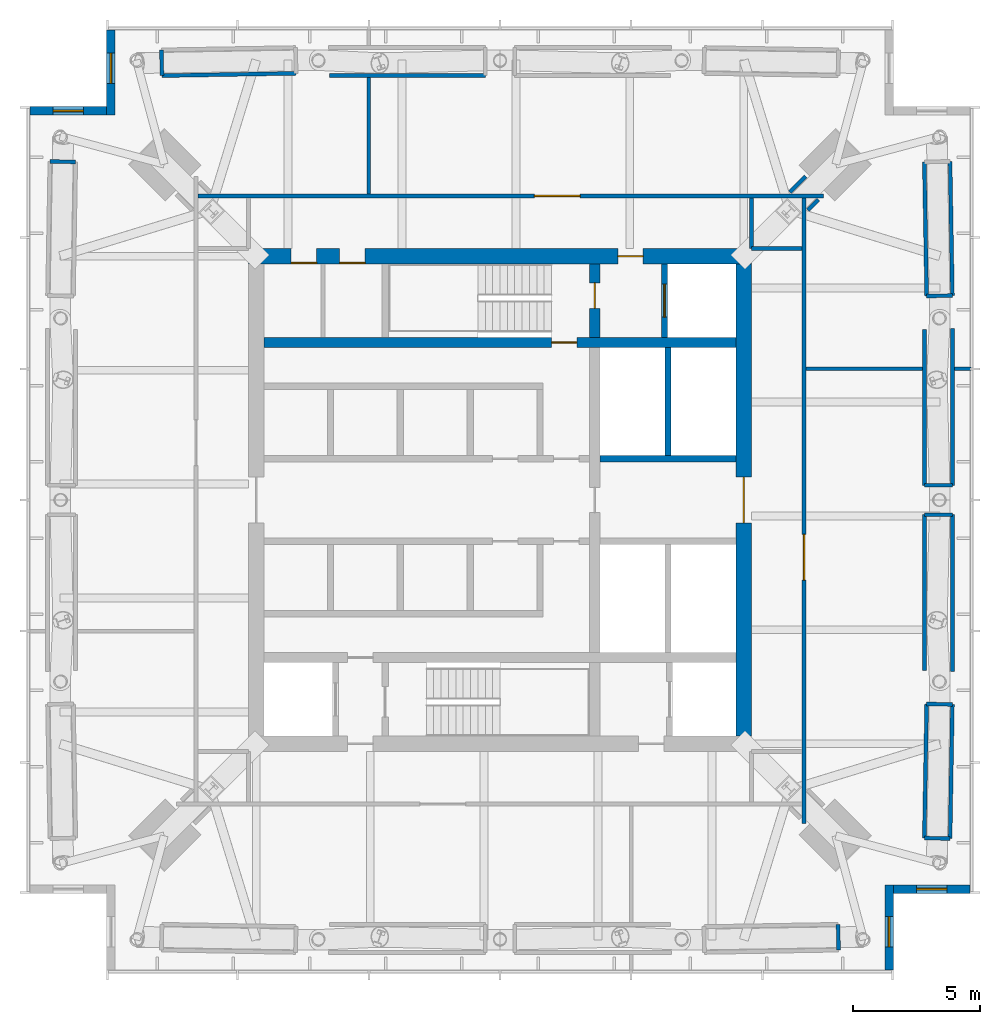
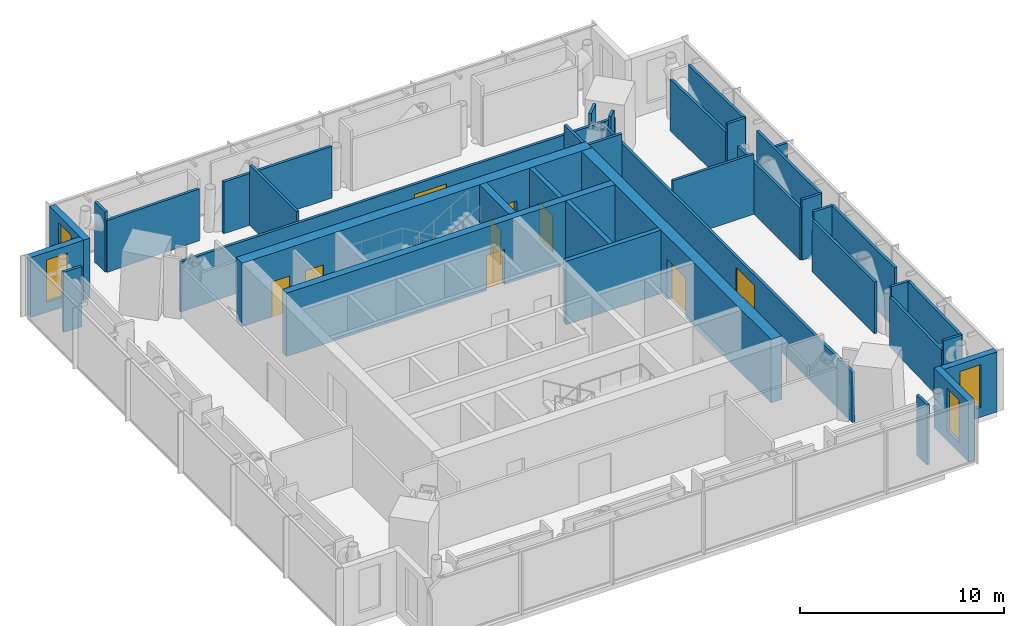
# One storey, part 6 of 8: 38 walls, 9 doors, 4 windows, 13 openings.
"""IFC4 building model written with IfcOpenShell, lengths in metres."""

from ifc_helpers import new_model, si_unit, direction, frame, frame_2d, origin, place, context, subcontext, project, spatial, rectangle, extrude, material, layer, layer_set, type_object, element, fill, save


model = new_model("IFC4")

# Units and contexts
model_context = context("Model", 3, precision=1e-05, world=origin(), true_north=direction((0.0, 1.0)))
body_context = subcontext(model_context, "Body", "Model", "MODEL_VIEW")
ifc_project = project(units=[si_unit("LENGTHUNIT", "METRE"), si_unit("AREAUNIT", "SQUARE_METRE"), si_unit("VOLUMEUNIT", "CUBIC_METRE"), si_unit("PLANEANGLEUNIT", "RADIAN"), si_unit("MASSUNIT", "GRAM", prefix="KILO")], contexts=[model_context])

# Site, building, storey
site_placement = place(None, origin())
site = spatial("IfcSite", under=ifc_project, at=site_placement, CompositionType="ELEMENT")
building_placement = place(site_placement, origin())
building = spatial("IfcBuilding", under=site, at=building_placement, Name="Ostroluk Exchange", CompositionType="ELEMENT")
storey_placement = place(building_placement, frame((0.0, 0.0, 230.0)))
storey = spatial("IfcBuildingStorey", under=building, at=storey_placement, Name="L59", CompositionType="ELEMENT", Elevation=230.0)

# Wall, opening, door
ifc_material_1 = material(Name="Concrete C50/60", Category="concrete")
ifc_layer_1 = layer(ifc_material_1, 0.39990234375)
ifc_layer_set_1 = layer_set([ifc_layer_1], Name="Core cross wall 400 C50/60")
wall_type_1 = type_object("IfcWallType", Name="Core cross wall 400 C50/60", PredefinedType="SHEAR", material=ifc_layer_set_1)
wall_1_placement = place(storey_placement, frame((35.699951171875, 52.199951171875, 0.0), z_axis=(0.0, 0.0, 1.0), x_axis=(1.0, 0.0, 0.0)))
wall_1 = element("IfcWall", 1, at=wall_1_placement, inside=storey, type_object=wall_type_1, Name="T1 core wall XN", PredefinedType="SHEAR", context=body_context, shape_type="SweptSolid", body=[
    extrude(rectangle(XDim=18.60009765625, YDim=0.39990234375, at=frame_2d((9.300048828125, 0.0))), origin(), (0.0, 0.0, 1.0), 3.800048828125),
])
opening_1_placement = place(wall_1_placement, frame((11.330078125, 0.0, 0.0)))
opening_1 = element("IfcOpeningElement", 2, at=opening_1_placement, cuts=wall_1, Name="Opening FD60", PredefinedType="OPENING", context=body_context, shape_type="SweptSolid", body=[
    extrude(rectangle(XDim=1.0, YDim=2.10009765625, at=frame_2d((0.5, 1.050048828125))), frame((0.0, 0.2099609375, 0.0), z_axis=(0.0, -1.0, 0.0), x_axis=(1.0, 0.0, 0.0)), (0.0, 0.0, 1.0), 0.419921875),
])
ifc_material_2 = material(Name="Steel", Category="steel")
door_type_1 = type_object("IfcDoorType", Name="Fire door EI 60 1000 x 2100", OperationType="SINGLE_SWING_LEFT", PredefinedType="DOOR", material=ifc_material_2)
door_1_placement = place(opening_1_placement, origin())
door_1 = element("IfcDoor", 3, at=door_1_placement, inside=storey, type_object=door_type_1, Name="Stair T1-S2 lobby door", OperationType="SINGLE_SWING_RIGHT", OverallHeight=2.10009765625, OverallWidth=1.0, PredefinedType="DOOR", context=body_context, shape_type="SweptSolid", body=[
    extrude(rectangle(XDim=1.0, YDim=2.10009765625, at=frame_2d((0.5, 1.050048828125))), frame((0.0, 0.02490234375, 0.0), z_axis=(0.0, -1.0, 0.0), x_axis=(1.0, 0.0, 0.0)), (0.0, 0.0, 1.0), 0.050048828125),
])
fill(opening_1, door_1)

wall_2_placement = place(storey_placement, frame((48.72998046875, 52.39990234375, 0.0), z_axis=(0.0, 0.0, 1.0), x_axis=(0.0, 1.0, 0.0)))
wall_2 = element("IfcWall", 4, at=wall_2_placement, inside=storey, type_object=wall_type_1, Name="T1 core wall YE3", PredefinedType="SHEAR", context=body_context, shape_type="SweptSolid", body=[
    extrude(rectangle(XDim=2.900146484375, YDim=0.39990234375, at=frame_2d((1.4501953125, 0.0))), origin(), (0.0, 0.0, 1.0), 3.800048828125),
])
opening_2_placement = place(wall_2_placement, frame((1.14990234375, 0.0, 0.0)))
opening_2 = element("IfcOpeningElement", 5, at=opening_2_placement, cuts=wall_2, Name="Opening FD60", PredefinedType="OPENING", context=body_context, shape_type="SweptSolid", body=[
    extrude(rectangle(XDim=1.0, YDim=2.10009765625, at=frame_2d((0.5, 1.050048828125))), frame((0.0, 0.2099609375, 0.0), z_axis=(0.0, -1.0, 0.0), x_axis=(1.0, 0.0, 0.0)), (0.0, 0.0, 1.0), 0.419921875),
])
door_2_placement = place(opening_2_placement, origin())
door_2 = element("IfcDoor", 6, at=door_2_placement, inside=storey, type_object=door_type_1, Name="Stair T1-S2 door", OperationType="SINGLE_SWING_RIGHT", OverallHeight=2.10009765625, OverallWidth=1.0, PredefinedType="DOOR", context=body_context, shape_type="SweptSolid", body=[
    extrude(rectangle(XDim=1.0, YDim=2.10009765625, at=frame_2d((0.5, 1.050048828125))), frame((0.0, 0.02490234375, 0.0), z_axis=(0.0, -1.0, 0.0), x_axis=(1.0, 0.0, 0.0)), (0.0, 0.0, 1.0), 0.050048828125),
])
fill(opening_2, door_2)

ifc_material_3 = material(Name="Concrete C40/50", Category="concrete")
ifc_layer_2 = layer(ifc_material_3, 0.25)
ifc_layer_set_2 = layer_set([ifc_layer_2], Name="Core shaft wall 250")
wall_type_2 = type_object("IfcWallType", Name="Core shaft wall 250", PredefinedType="SHEAR", material=ifc_layer_set_2)
wall_3_placement = place(storey_placement, frame((51.47509765625, 52.39990234375, 0.0), z_axis=(0.0, 0.0, 1.0), x_axis=(0.0, 1.0, 0.0)))
wall_3 = element("IfcWall", 7, at=wall_3_placement, inside=storey, type_object=wall_type_2, Name="Firefighting lift shaft wall", PredefinedType="SHEAR", context=body_context, shape_type="SweptSolid", body=[
    extrude(rectangle(XDim=2.900146484375, YDim=0.25, at=frame_2d((1.4501953125, 0.0))), origin(), (0.0, 0.0, 1.0), 3.800048828125),
])
opening_3_placement = place(wall_3_placement, frame((0.800048828125, 0.0, 0.0)))
opening_3 = element("IfcOpeningElement", 8, at=opening_3_placement, cuts=wall_3, Name="Opening LD2", PredefinedType="OPENING", context=body_context, shape_type="SweptSolid", body=[
    extrude(rectangle(XDim=1.300048828125, YDim=2.199951171875, at=frame_2d((0.64990234375, 1.10009765625))), frame((0.0, 0.135009765625, 0.0), z_axis=(0.0, -1.0, 0.0), x_axis=(1.0, 0.0, 0.0)), (0.0, 0.0, 1.0), 0.27001953125),
])
ifc_material_4 = material(Name="Stainless steel", Category="steel")
door_type_2 = type_object("IfcDoorType", Name="Lift landing door E 60 1300 x 2200", OperationType="DOUBLE_DOOR_SLIDING", PredefinedType="DOOR", material=ifc_material_4)
door_3_placement = place(opening_3_placement, origin())
door_3 = element("IfcDoor", 9, at=door_3_placement, inside=storey, type_object=door_type_2, Name="Lift FL2 landing door", OperationType="DOUBLE_DOOR_SLIDING", OverallHeight=2.199951171875, OverallWidth=1.300048828125, PredefinedType="DOOR", context=body_context, shape_type="SweptSolid", body=[
    extrude(rectangle(XDim=1.300048828125, YDim=2.199951171875, at=frame_2d((0.64990234375, 1.10009765625))), frame((0.0, 0.02490234375, 0.0), z_axis=(0.0, -1.0, 0.0), x_axis=(1.0, 0.0, 0.0)), (0.0, 0.0, 1.0), 0.050048828125),
])
fill(opening_3, door_3)

# Walls
wall_4_placement = place(storey_placement, frame((51.614990234375, 47.75, 0.0), z_axis=(0.0, 0.0, 1.0), x_axis=(0.0, 1.0, 0.0)))
element("IfcWall", 10, at=wall_4_placement, inside=storey, type_object=wall_type_2, Name="Lift shaft wall", PredefinedType="SHEAR", context=body_context, shape_type="SweptSolid", body=[
    extrude(rectangle(XDim=4.25, YDim=0.25, at=frame_2d((2.125, 0.0))), origin(), (0.0, 0.0, 1.0), 3.800048828125),
])
wall_5_placement = place(storey_placement, frame((48.929931640625, 47.625, 0.0), z_axis=(0.0, 0.0, 1.0), x_axis=(1.0, 0.0, 0.0)))
element("IfcWall", 11, at=wall_5_placement, inside=storey, type_object=wall_type_2, Name="Lift shaft front wall", PredefinedType="SHEAR", context=body_context, shape_type="SweptSolid", body=[
    extrude(rectangle(XDim=5.3701171875, YDim=0.25, at=frame_2d((2.68505859375, 0.0))), origin(), (0.0, 0.0, 1.0), 3.800048828125),
])

# Wall, openings, doors
ifc_material_5 = material(Name="Concrete C50/60", Category="concrete")
ifc_layer_3 = layer(ifc_material_5, 0.60009765625)
ifc_layer_set_3 = layer_set([ifc_layer_3], Name="Core wall 600 C50/60")
wall_type_3 = type_object("IfcWallType", Name="Core wall 600 C50/60", PredefinedType="SHEAR", material=ifc_layer_set_3)
wall_6_placement = place(storey_placement, frame((35.10009765625, 55.60009765625, 0.0), z_axis=(0.0, 0.0, 1.0), x_axis=(1.0, 0.0, 0.0)))
wall_6 = element("IfcWall", 12, at=wall_6_placement, inside=storey, type_object=wall_type_3, Name="T1 core wall N", PredefinedType="SHEAR", context=body_context, shape_type="SweptSolid", body=[
    extrude(rectangle(XDim=19.7998046875, YDim=0.60009765625, at=frame_2d((9.89990234375, 0.0))), origin(), (0.0, 0.0, 1.0), 3.800048828125),
])
opening_4_placement = place(wall_6_placement, frame((14.5400390625, 0.0, 0.0)))
opening_4 = element("IfcOpeningElement", 13, at=opening_4_placement, cuts=wall_6, Name="Opening FD60", PredefinedType="OPENING", context=body_context, shape_type="SweptSolid", body=[
    extrude(rectangle(XDim=1.0, YDim=2.10009765625, at=frame_2d((0.5, 1.050048828125))), frame((0.0, 0.31005859375, 0.0), z_axis=(0.0, -1.0, 0.0), x_axis=(1.0, 0.0, 0.0)), (0.0, 0.0, 1.0), 0.6201171875),
])
opening_5_placement = place(wall_6_placement, frame((1.675048828125, 0.0, 0.0)))
opening_5 = element("IfcOpeningElement", 14, at=opening_5_placement, cuts=wall_6, Name="Opening FD60", PredefinedType="OPENING", context=body_context, shape_type="SweptSolid", body=[
    extrude(rectangle(XDim=1.0, YDim=2.10009765625, at=frame_2d((0.5, 1.050048828125))), frame((0.0, 0.31005859375, 0.0), z_axis=(0.0, -1.0, 0.0), x_axis=(1.0, 0.0, 0.0)), (0.0, 0.0, 1.0), 0.6201171875),
])
opening_6_placement = place(wall_6_placement, frame((3.58740234375, 0.0, 0.0)))
opening_6 = element("IfcOpeningElement", 15, at=opening_6_placement, cuts=wall_6, Name="Opening FD60", PredefinedType="OPENING", context=body_context, shape_type="SweptSolid", body=[
    extrude(rectangle(XDim=1.0, YDim=2.10009765625, at=frame_2d((0.5, 1.050048828125))), frame((0.0, 0.31005859375, 0.0), z_axis=(0.0, -1.0, 0.0), x_axis=(1.0, 0.0, 0.0)), (0.0, 0.0, 1.0), 0.6201171875),
])
door_4_placement = place(opening_4_placement, origin())
door_4 = element("IfcDoor", 16, at=door_4_placement, inside=storey, type_object=door_type_1, Name="Firefighting lobby door", OperationType="SINGLE_SWING_RIGHT", OverallHeight=2.10009765625, OverallWidth=1.0, PredefinedType="DOOR", context=body_context, shape_type="SweptSolid", body=[
    extrude(rectangle(XDim=1.0, YDim=2.10009765625, at=frame_2d((0.5, 1.050048828125))), frame((0.0, 0.02490234375, 0.0), z_axis=(0.0, -1.0, 0.0), x_axis=(1.0, 0.0, 0.0)), (0.0, 0.0, 1.0), 0.050048828125),
])
fill(opening_4, door_4)
door_5_placement = place(opening_5_placement, origin())
door_5 = element("IfcDoor", 17, at=door_5_placement, inside=storey, type_object=door_type_1, Name="Plant control room door", OperationType="SINGLE_SWING_LEFT", OverallHeight=2.10009765625, OverallWidth=1.0, PredefinedType="DOOR", context=body_context, shape_type="SweptSolid", body=[
    extrude(rectangle(XDim=1.0, YDim=2.10009765625, at=frame_2d((0.5, 1.050048828125))), frame((0.0, -0.23974609375, 0.0), z_axis=(0.0, -1.0, 0.0), x_axis=(1.0, 0.0, 0.0)), (0.0, 0.0, 1.0), 0.050048828125),
])
fill(opening_5, door_5)
door_6_placement = place(opening_6_placement, origin())
door_6 = element("IfcDoor", 18, at=door_6_placement, inside=storey, type_object=door_type_1, Name="Plant control room door", OperationType="SINGLE_SWING_LEFT", OverallHeight=2.10009765625, OverallWidth=1.0, PredefinedType="DOOR", context=body_context, shape_type="SweptSolid", body=[
    extrude(rectangle(XDim=1.0, YDim=2.10009765625, at=frame_2d((0.5, 1.050048828125))), frame((0.0, -0.23974609375, 0.0), z_axis=(0.0, -1.0, 0.0), x_axis=(1.0, 0.0, 0.0)), (0.0, 0.0, 1.0), 0.050048828125),
])
fill(opening_6, door_6)

# Wall, opening, door
wall_7_placement = place(storey_placement, frame((54.60009765625, 36.699951171875, 0.0), z_axis=(0.0, 0.0, 1.0), x_axis=(0.0, 1.0, 0.0)))
wall_7 = element("IfcWall", 19, at=wall_7_placement, inside=storey, type_object=wall_type_3, Name="T1 core wall E", PredefinedType="SHEAR", context=body_context, shape_type="SweptSolid", body=[
    extrude(rectangle(XDim=18.60009765625, YDim=0.60009765625, at=frame_2d((9.300048828125, 0.0))), origin(), (0.0, 0.0, 1.0), 3.800048828125),
])
opening_7_placement = place(wall_7_placement, frame((8.39990234375, 0.0, 0.0)))
opening_7 = element("IfcOpeningElement", 20, at=opening_7_placement, cuts=wall_7, Name="Opening FD30D", PredefinedType="OPENING", context=body_context, shape_type="SweptSolid", body=[
    extrude(rectangle(XDim=1.800048828125, YDim=2.39990234375, at=frame_2d((0.89990234375, 1.199951171875))), frame((0.0, 0.31005859375, 0.0), z_axis=(0.0, -1.0, 0.0), x_axis=(1.0, 0.0, 0.0)), (0.0, 0.0, 1.0), 0.6201171875),
])
ifc_material_6 = material(Name="Timber", Category="wood")
door_type_3 = type_object("IfcDoorType", Name="Lobby double door EI 30 1800 x 2400", OperationType="DOUBLE_DOOR_SINGLE_SWING", PredefinedType="DOOR", material=ifc_material_6)
door_7_placement = place(opening_7_placement, origin())
door_7 = element("IfcDoor", 21, at=door_7_placement, inside=storey, type_object=door_type_3, Name="Lift lobby doors", OperationType="DOUBLE_DOOR_SINGLE_SWING", OverallHeight=2.39990234375, OverallWidth=1.800048828125, PredefinedType="DOOR", context=body_context, shape_type="SweptSolid", body=[
    extrude(rectangle(XDim=1.800048828125, YDim=2.39990234375, at=frame_2d((0.89990234375, 1.199951171875))), frame((0.0, 0.02490234375, 0.0), z_axis=(0.0, -1.0, 0.0), x_axis=(1.0, 0.0, 0.0)), (0.0, 0.0, 1.0), 0.050048828125),
])
fill(opening_7, door_7)

# Wall, opening, window
ifc_material_7 = material(Name="Limestone", Category="masonry")
ifc_layer_4 = layer(ifc_material_7, 0.35009765625)
ifc_layer_set_4 = layer_set([ifc_layer_4], Name="Limestone facade wall 350")
wall_type_4 = type_object("IfcWallType", Name="Limestone facade wall 350", PredefinedType="SOLIDWALL", material=ifc_layer_set_4)
wall_8_placement = place(storey_placement, frame((60.324951171875, 27.5, 0.0), z_axis=(0.0, 0.0, 1.0), x_axis=(0.0, 1.0, 0.0)))
wall_8 = element("IfcWall", 22, at=wall_8_placement, inside=storey, type_object=wall_type_4, Name="Office tower SE corner wall L59 a", PredefinedType="SOLIDWALL", context=body_context, shape_type="SweptSolid", body=[
    extrude(rectangle(XDim=3.35009765625, YDim=0.35009765625, at=frame_2d((1.675048828125, 0.0))), origin(), (0.0, 0.0, 1.0), 3.60009765625),
])
opening_8_placement = place(wall_8_placement, frame((0.89990234375, 0.0, 0.60009765625)))
opening_8 = element("IfcOpeningElement", 23, at=opening_8_placement, cuts=wall_8, Name="Opening WN-LV1", PredefinedType="OPENING", context=body_context, shape_type="SweptSolid", body=[
    extrude(rectangle(XDim=1.199951171875, YDim=2.550048828125, at=frame_2d((0.60009765625, 1.27490234375))), frame((0.0, 0.18505859375, 0.0), z_axis=(0.0, -1.0, 0.0), x_axis=(1.0, 0.0, 0.0)), (0.0, 0.0, 1.0), 0.3701171875),
])
ifc_material_8 = material(Name="Aluminium louvre", Category="aluminium")
window_type = type_object("IfcWindowType", Name="Lancet louvre 1200 x 2550", PartitioningType="SINGLE_PANEL", PredefinedType="USERDEFINED", material=ifc_material_8)
window_1_placement = place(opening_8_placement, origin())
window_1 = element("IfcWindow", 24, at=window_1_placement, inside=storey, type_object=window_type, Name="Office tower SE plant louvre L59", ObjectType="LOUVRE", OverallHeight=2.550048828125, OverallWidth=1.199951171875, PartitioningType="SINGLE_PANEL", PredefinedType="USERDEFINED", context=body_context, shape_type="SweptSolid", body=[
    extrude(rectangle(XDim=1.199951171875, YDim=2.550048828125, at=frame_2d((0.60009765625, 1.27490234375))), frame((0.0, 0.030029296875, 0.0), z_axis=(0.0, -1.0, 0.0), x_axis=(1.0, 0.0, 0.0)), (0.0, 0.0, 1.0), 0.06005859375),
])
fill(opening_8, window_1)

wall_9_placement = place(storey_placement, frame((60.5, 30.675048828125, 0.0), z_axis=(0.0, 0.0, 1.0), x_axis=(1.0, 0.0, 0.0)))
wall_9 = element("IfcWall", 25, at=wall_9_placement, inside=storey, type_object=wall_type_4, Name="Office tower SE corner wall L59 b", PredefinedType="SOLIDWALL", context=body_context, shape_type="SweptSolid", body=[
    extrude(rectangle(XDim=3.0, YDim=0.35009765625, at=frame_2d((1.5, 0.0))), origin(), (0.0, 0.0, 1.0), 3.60009765625),
])
opening_9_placement = place(wall_9_placement, frame((0.89990234375, 0.0, 0.60009765625)))
opening_9 = element("IfcOpeningElement", 26, at=opening_9_placement, cuts=wall_9, Name="Opening WN-LV1", PredefinedType="OPENING", context=body_context, shape_type="SweptSolid", body=[
    extrude(rectangle(XDim=1.199951171875, YDim=2.550048828125, at=frame_2d((0.60009765625, 1.27490234375))), frame((0.0, 0.18505859375, 0.0), z_axis=(0.0, -1.0, 0.0), x_axis=(1.0, 0.0, 0.0)), (0.0, 0.0, 1.0), 0.3701171875),
])
window_2_placement = place(opening_9_placement, origin())
window_2 = element("IfcWindow", 27, at=window_2_placement, inside=storey, type_object=window_type, Name="Office tower SE plant louvre L59", ObjectType="LOUVRE", OverallHeight=2.550048828125, OverallWidth=1.199951171875, PartitioningType="SINGLE_PANEL", PredefinedType="USERDEFINED", context=body_context, shape_type="SweptSolid", body=[
    extrude(rectangle(XDim=1.199951171875, YDim=2.550048828125, at=frame_2d((0.60009765625, 1.27490234375))), frame((0.0, 0.030029296875, 0.0), z_axis=(0.0, -1.0, 0.0), x_axis=(1.0, 0.0, 0.0)), (0.0, 0.0, 1.0), 0.06005859375),
])
fill(opening_9, window_2)

wall_10_placement = place(storey_placement, frame((29.675048828125, 64.5, 0.0), z_axis=(0.0, 0.0, 1.0), x_axis=(0.0, -1.0, 0.0)))
wall_10 = element("IfcWall", 28, at=wall_10_placement, inside=storey, type_object=wall_type_4, Name="Office tower NW corner wall L59 a", PredefinedType="SOLIDWALL", context=body_context, shape_type="SweptSolid", body=[
    extrude(rectangle(XDim=3.35009765625, YDim=0.35009765625, at=frame_2d((1.675048828125, 0.0))), origin(), (0.0, 0.0, 1.0), 3.60009765625),
])
opening_10_placement = place(wall_10_placement, frame((0.89990234375, 0.0, 0.60009765625)))
opening_10 = element("IfcOpeningElement", 29, at=opening_10_placement, cuts=wall_10, Name="Opening WN-LV1", PredefinedType="OPENING", context=body_context, shape_type="SweptSolid", body=[
    extrude(rectangle(XDim=1.199951171875, YDim=2.550048828125, at=frame_2d((0.60009765625, 1.27490234375))), frame((0.0, 0.18505859375, 0.0), z_axis=(0.0, -1.0, 0.0), x_axis=(1.0, 0.0, 0.0)), (0.0, 0.0, 1.0), 0.3701171875),
])
window_3_placement = place(opening_10_placement, origin())
window_3 = element("IfcWindow", 30, at=window_3_placement, inside=storey, type_object=window_type, Name="Office tower NW plant louvre L59", ObjectType="LOUVRE", OverallHeight=2.550048828125, OverallWidth=1.199951171875, PartitioningType="SINGLE_PANEL", PredefinedType="USERDEFINED", context=body_context, shape_type="SweptSolid", body=[
    extrude(rectangle(XDim=1.199951171875, YDim=2.550048828125, at=frame_2d((0.60009765625, 1.27490234375))), frame((0.0, 0.030029296875, 0.0), z_axis=(0.0, -1.0, 0.0), x_axis=(1.0, 0.0, 0.0)), (0.0, 0.0, 1.0), 0.06005859375),
])
fill(opening_10, window_3)

wall_11_placement = place(storey_placement, frame((29.5, 61.324951171875, 0.0), z_axis=(0.0, 0.0, 1.0), x_axis=(-1.0, 0.0, 0.0)))
wall_11 = element("IfcWall", 31, at=wall_11_placement, inside=storey, type_object=wall_type_4, Name="Office tower NW corner wall L59 b", PredefinedType="SOLIDWALL", context=body_context, shape_type="SweptSolid", body=[
    extrude(rectangle(XDim=3.0, YDim=0.35009765625, at=frame_2d((1.5, 0.0))), origin(), (0.0, 0.0, 1.0), 3.60009765625),
])
opening_11_placement = place(wall_11_placement, frame((0.89990234375, 0.0, 0.60009765625)))
opening_11 = element("IfcOpeningElement", 32, at=opening_11_placement, cuts=wall_11, Name="Opening WN-LV1", PredefinedType="OPENING", context=body_context, shape_type="SweptSolid", body=[
    extrude(rectangle(XDim=1.199951171875, YDim=2.550048828125, at=frame_2d((0.60009765625, 1.27490234375))), frame((0.0, 0.18505859375, 0.0), z_axis=(0.0, -1.0, 0.0), x_axis=(1.0, 0.0, 0.0)), (0.0, 0.0, 1.0), 0.3701171875),
])
window_4_placement = place(opening_11_placement, origin())
window_4 = element("IfcWindow", 33, at=window_4_placement, inside=storey, type_object=window_type, Name="Office tower NW plant louvre L59", ObjectType="LOUVRE", OverallHeight=2.550048828125, OverallWidth=1.199951171875, PartitioningType="SINGLE_PANEL", PredefinedType="USERDEFINED", context=body_context, shape_type="SweptSolid", body=[
    extrude(rectangle(XDim=1.199951171875, YDim=2.550048828125, at=frame_2d((0.60009765625, 1.27490234375))), frame((0.0, 0.030029296875, 0.0), z_axis=(0.0, -1.0, 0.0), x_axis=(1.0, 0.0, 0.0)), (0.0, 0.0, 1.0), 0.06005859375),
])
fill(opening_11, window_4)

# Wall
ifc_material_9 = material(Name="Gypsum plasterboard partition", Category="gypsum")
ifc_layer_5 = layer(ifc_material_9, 0.14990234375)
ifc_layer_set_5 = layer_set([ifc_layer_5], Name="Plasterboard partition 150")
wall_type_5 = type_object("IfcWallType", Name="Plasterboard partition 150", PredefinedType="PARTITIONING", material=ifc_layer_set_5)
wall_12_placement = place(storey_placement, frame((54.89990234375, 55.89990234375, 0.0), z_axis=(0.0, 0.0, 1.0), x_axis=(1.0, 0.0, 0.0)))
element("IfcWall", 34, at=wall_12_placement, inside=storey, type_object=wall_type_5, Name="Partition", PredefinedType="PARTITIONING", context=body_context, shape_type="SweptSolid", body=[
    extrude(rectangle(XDim=2.0, YDim=0.14990234375, at=frame_2d((1.0, 0.0))), origin(), (0.0, 0.0, 1.0), 3.60009765625),
])

# Wall, opening, door
wall_13_placement = place(storey_placement, frame((56.97509765625, 33.26416015625, 0.0), z_axis=(0.0, 0.0, 1.0), x_axis=(0.0, 1.0, 0.0)))
wall_13 = element("IfcWall", 35, at=wall_13_placement, inside=storey, type_object=wall_type_5, Name="Partition", PredefinedType="PARTITIONING", context=body_context, shape_type="SweptSolid", body=[
    extrude(rectangle(XDim=24.6357421875, YDim=0.14990234375, at=frame_2d((12.31787109375, 0.0))), origin(), (0.0, 0.0, 1.0), 3.0),
])
opening_12_placement = place(wall_13_placement, frame((9.58154296875, 0.0, 0.0)))
opening_12 = element("IfcOpeningElement", 36, at=opening_12_placement, cuts=wall_13, Name="Opening D-04", PredefinedType="OPENING", context=body_context, shape_type="SweptSolid", body=[
    extrude(rectangle(XDim=1.800048828125, YDim=2.39990234375, at=frame_2d((0.89990234375, 1.199951171875))), frame((0.0, 0.0849609375, 0.0), z_axis=(0.0, -1.0, 0.0), x_axis=(1.0, 0.0, 0.0)), (0.0, 0.0, 1.0), 0.169921875),
])
ifc_material_10 = material(Name="Timber", Category="wood")
door_type_4 = type_object("IfcDoorType", Name="Double door 1800 x 2400", OperationType="DOUBLE_DOOR_SINGLE_SWING", PredefinedType="DOOR", material=ifc_material_10)
door_8_placement = place(opening_12_placement, origin())
door_8 = element("IfcDoor", 37, at=door_8_placement, inside=storey, type_object=door_type_4, Name="Refuge area door", OperationType="DOUBLE_DOOR_SINGLE_SWING", OverallHeight=2.39990234375, OverallWidth=1.800048828125, PredefinedType="DOOR", context=body_context, shape_type="SweptSolid", body=[
    extrude(rectangle(XDim=1.800048828125, YDim=2.39990234375, at=frame_2d((0.89990234375, 1.199951171875))), frame((0.0, 0.02490234375, 0.0), z_axis=(0.0, -1.0, 0.0), x_axis=(1.0, 0.0, 0.0)), (0.0, 0.0, 1.0), 0.050048828125),
])
fill(opening_12, door_8)

# Walls
wall_14_placement = place(storey_placement, frame((57.050048828125, 51.166748046875, 0.0), z_axis=(0.0, 0.0, 1.0), x_axis=(1.0, 0.0, 0.0)))
element("IfcWall", 38, at=wall_14_placement, inside=storey, type_object=wall_type_5, Name="Partition", PredefinedType="PARTITIONING", context=body_context, shape_type="SweptSolid", body=[
    extrude(rectangle(XDim=4.583740234375, YDim=0.14990234375, at=frame_2d((2.2919921875, 0.0))), origin(), (0.0, 0.0, 1.0), 3.60009765625),
])
wall_15_placement = place(storey_placement, frame((62.88720703125, 51.166748046875, 0.0), z_axis=(0.0, 0.0, 1.0), x_axis=(1.0, 0.0, 0.0)))
element("IfcWall", 39, at=wall_15_placement, inside=storey, type_object=wall_type_5, Name="Partition", PredefinedType="PARTITIONING", context=body_context, shape_type="SweptSolid", body=[
    extrude(rectangle(XDim=0.65283203125, YDim=0.14990234375, at=frame_2d((0.326416015625, 0.0))), origin(), (0.0, 0.0, 1.0), 3.60009765625),
])
wall_16_placement = place(storey_placement, frame((54.89990234375, 55.89990234375, 0.0), z_axis=(0.0, 0.0, 1.0), x_axis=(0.0, 1.0, 0.0)))
element("IfcWall", 40, at=wall_16_placement, inside=storey, type_object=wall_type_5, Name="Partition", PredefinedType="PARTITIONING", context=body_context, shape_type="SweptSolid", body=[
    extrude(rectangle(XDim=2.0, YDim=0.14990234375, at=frame_2d((1.0, 0.0))), origin(), (0.0, 0.0, 1.0), 3.60009765625),
])

# Wall, opening, door
wall_17_placement = place(storey_placement, frame((57.73583984375, 57.97509765625, 0.0), z_axis=(0.0, 0.0, 1.0), x_axis=(-1.0, 0.0, 0.0)))
wall_17 = element("IfcWall", 41, at=wall_17_placement, inside=storey, type_object=wall_type_5, Name="Partition", PredefinedType="PARTITIONING", context=body_context, shape_type="SweptSolid", body=[
    extrude(rectangle(XDim=24.6357421875, YDim=0.14990234375, at=frame_2d((12.31787109375, 0.0))), origin(), (0.0, 0.0, 1.0), 3.0),
])
opening_13_placement = place(wall_17_placement, frame((9.58154296875, 0.0, 0.0)))
opening_13 = element("IfcOpeningElement", 42, at=opening_13_placement, cuts=wall_17, Name="Opening D-04", PredefinedType="OPENING", context=body_context, shape_type="SweptSolid", body=[
    extrude(rectangle(XDim=1.800048828125, YDim=2.39990234375, at=frame_2d((0.89990234375, 1.199951171875))), frame((0.0, 0.0849609375, 0.0), z_axis=(0.0, -1.0, 0.0), x_axis=(1.0, 0.0, 0.0)), (0.0, 0.0, 1.0), 0.169921875),
])
door_9_placement = place(opening_13_placement, origin())
door_9 = element("IfcDoor", 43, at=door_9_placement, inside=storey, type_object=door_type_4, Name="Refuge area door", OperationType="DOUBLE_DOOR_SINGLE_SWING", OverallHeight=2.39990234375, OverallWidth=1.800048828125, PredefinedType="DOOR", context=body_context, shape_type="SweptSolid", body=[
    extrude(rectangle(XDim=1.800048828125, YDim=2.39990234375, at=frame_2d((0.89990234375, 1.199951171875))), frame((0.0, 0.02490234375, 0.0), z_axis=(0.0, -1.0, 0.0), x_axis=(1.0, 0.0, 0.0)), (0.0, 0.0, 1.0), 0.050048828125),
])
fill(opening_13, door_9)

# Walls
wall_18_placement = place(storey_placement, frame((39.833251953125, 58.050048828125, 0.0), z_axis=(0.0, 0.0, 1.0), x_axis=(0.0, 1.0, 0.0)))
element("IfcWall", 44, at=wall_18_placement, inside=storey, type_object=wall_type_5, Name="Partition", PredefinedType="PARTITIONING", context=body_context, shape_type="SweptSolid", body=[
    extrude(rectangle(XDim=4.583740234375, YDim=0.14990234375, at=frame_2d((2.2919921875, 0.0))), origin(), (0.0, 0.0, 1.0), 3.60009765625),
])
wall_19_placement = place(storey_placement, frame((27.2783203125, 59.328857421875, 0.0), z_axis=(0.0, 0.0, 1.0), x_axis=(0.999849460645, -0.017350966779, 0.0)))
element("IfcWall", 45, at=wall_19_placement, inside=storey, type_object=wall_type_5, Name="Partition", PredefinedType="PARTITIONING", context=body_context, shape_type="SweptSolid", body=[
    extrude(rectangle(XDim=1.01318359375, YDim=0.14990234375, at=frame_2d((0.506591796875, 0.0))), origin(), (0.0, 0.0, 1.0), 3.60009765625),
])
wall_20_placement = place(storey_placement, frame((44.42138671875, 62.709228515625, 0.0), z_axis=(0.0, 0.0, 1.0), x_axis=(-0.999999996831, -7.9614665e-05, 0.0)))
element("IfcWall", 46, at=wall_20_placement, inside=storey, type_object=wall_type_5, Name="Partition", PredefinedType="PARTITIONING", context=body_context, shape_type="SweptSolid", body=[
    extrude(rectangle(XDim=6.133056640625, YDim=0.14990234375, at=frame_2d((3.06640625, 0.0))), origin(), (0.0, 0.0, 1.0), 3.10009765625),
])
wall_21_placement = place(storey_placement, frame((31.688720703125, 62.708740234375, 0.0), z_axis=(0.0, 0.0, 1.0), x_axis=(-0.017350966779, 0.999849460645, 0.0)))
element("IfcWall", 47, at=wall_21_placement, inside=storey, type_object=wall_type_5, Name="Partition", PredefinedType="PARTITIONING", context=body_context, shape_type="SweptSolid", body=[
    extrude(rectangle(XDim=1.01318359375, YDim=0.14990234375, at=frame_2d((0.506591796875, 0.0))), origin(), (0.0, 0.0, 1.0), 3.60009765625),
])
wall_22_placement = place(storey_placement, frame((36.968017578125, 62.7998046875, 0.0), z_axis=(0.0, 0.0, 1.0), x_axis=(-0.999851263109, -0.017246786956, 0.0)))
element("IfcWall", 48, at=wall_22_placement, inside=storey, type_object=wall_type_5, Name="Partition", PredefinedType="PARTITIONING", context=body_context, shape_type="SweptSolid", body=[
    extrude(rectangle(XDim=5.280029296875, YDim=0.14990234375, at=frame_2d((2.64013671875, 0.0))), origin(), (0.0, 0.0, 1.0), 3.10009765625),
])
for number, where, z_axis, x_axis, name in (
    (49, (58.311279296875, 29.291259765625, 0.0), (0.0, 0.0, 1.0), (0.017350966779, -0.999849460645, 0.0), "Partition"),
    (50, (62.7216796875, 32.671142578125, 0.0), (0.0, 0.0, 1.0), (-0.999849460645, 0.017350966779, 0.0), "Partition"),
):
    element("IfcWall", number, at=place(storey_placement, frame(where, z_axis=z_axis, x_axis=x_axis)), inside=storey, type_object=wall_type_5, Name=name, PredefinedType="PARTITIONING", context=body_context, shape_type="SweptSolid", body=[
        extrude(rectangle(XDim=1.01318359375, YDim=0.14990234375, at=frame_2d((0.506591796875, 0.0))), origin(), (0.0, 0.0, 1.0), 3.60009765625),
    ])
wall_23_placement = place(storey_placement, frame((61.708740234375, 32.688720703125, 0.0), z_axis=(0.0, 0.0, 1.0), x_axis=(0.017246786956, 0.999851263109, 0.0)))
element("IfcWall", 51, at=wall_23_placement, inside=storey, type_object=wall_type_5, Name="Partition", PredefinedType="PARTITIONING", context=body_context, shape_type="SweptSolid", body=[
    extrude(rectangle(XDim=5.280029296875, YDim=0.14990234375, at=frame_2d((2.64013671875, 0.0))), origin(), (0.0, 0.0, 1.0), 3.0),
])
wall_24_placement = place(storey_placement, frame((61.7998046875, 37.968017578125, 0.0), z_axis=(0.0, 0.0, 1.0), x_axis=(0.999853612343, -0.017110052176, 0.0)))
element("IfcWall", 52, at=wall_24_placement, inside=storey, type_object=wall_type_5, Name="Partition", PredefinedType="PARTITIONING", context=body_context, shape_type="SweptSolid", body=[
    extrude(rectangle(XDim=1.01318359375, YDim=0.14990234375, at=frame_2d((0.506591796875, 0.0))), origin(), (0.0, 0.0, 1.0), 3.60009765625),
])
wall_25_placement = place(storey_placement, frame((62.812744140625, 37.95068359375, 0.0), z_axis=(0.0, 0.0, 1.0), x_axis=(-0.017245989654, -0.999851276861, 0.0)))
element("IfcWall", 53, at=wall_25_placement, inside=storey, type_object=wall_type_5, Name="Partition", PredefinedType="PARTITIONING", context=body_context, shape_type="SweptSolid", body=[
    extrude(rectangle(XDim=5.2802734375, YDim=0.14990234375, at=frame_2d((2.64013671875, 0.0))), origin(), (0.0, 0.0, 1.0), 3.60009765625),
])
wall_26_placement = place(storey_placement, frame((61.708740234375, 39.288330078125, 0.0), z_axis=(0.0, 0.0, 1.0), x_axis=(7.9614665e-05, 0.999999996831, 0.0)))
element("IfcWall", 54, at=wall_26_placement, inside=storey, type_object=wall_type_5, Name="Partition", PredefinedType="PARTITIONING", context=body_context, shape_type="SweptSolid", body=[
    extrude(rectangle(XDim=6.133056640625, YDim=0.14990234375, at=frame_2d((3.06640625, 0.0))), origin(), (0.0, 0.0, 1.0), 3.10009765625),
])
wall_27_placement = place(storey_placement, frame((61.709228515625, 45.42138671875, 0.0), z_axis=(0.0, 0.0, 1.0), x_axis=(0.999999975516, -0.00022128789, 0.0)))
element("IfcWall", 55, at=wall_27_placement, inside=storey, type_object=wall_type_5, Name="Partition", PredefinedType="PARTITIONING", context=body_context, shape_type="SweptSolid", body=[
    extrude(rectangle(XDim=1.103271484375, YDim=0.14990234375, at=frame_2d((0.5517578125, 0.0))), origin(), (0.0, 0.0, 1.0), 3.60009765625),
])
for number, where, z_axis, x_axis, name in (
    (56, (62.8125, 45.421142578125, 0.0), (0.0, 0.0, 1.0), (-7.8973346e-05, -0.999999996882, 0.0), "Partition"),
    (57, (62.81201171875, 52.76171875, 0.0), (0.0, 0.0, 1.0), (7.8973346e-05, -0.999999996882, 0.0), "Partition"),
):
    element("IfcWall", number, at=place(storey_placement, frame(where, z_axis=z_axis, x_axis=x_axis)), inside=storey, type_object=wall_type_5, Name=name, PredefinedType="PARTITIONING", context=body_context, shape_type="SweptSolid", body=[
        extrude(rectangle(XDim=6.182861328125, YDim=0.14990234375, at=frame_2d((3.09130859375, 0.0))), origin(), (0.0, 0.0, 1.0), 3.60009765625),
    ])
wall_28_placement = place(storey_placement, frame((62.8125, 46.578857421875, 0.0), z_axis=(0.0, 0.0, 1.0), x_axis=(-0.999999975516, -0.00022128789, 0.0)))
element("IfcWall", 58, at=wall_28_placement, inside=storey, type_object=wall_type_5, Name="Partition", PredefinedType="PARTITIONING", context=body_context, shape_type="SweptSolid", body=[
    extrude(rectangle(XDim=1.103271484375, YDim=0.14990234375, at=frame_2d((0.5517578125, 0.0))), origin(), (0.0, 0.0, 1.0), 3.60009765625),
])
wall_29_placement = place(storey_placement, frame((61.709228515625, 46.57861328125, 0.0), z_axis=(0.0, 0.0, 1.0), x_axis=(-7.9614665e-05, 0.999999996831, 0.0)))
element("IfcWall", 59, at=wall_29_placement, inside=storey, type_object=wall_type_5, Name="Partition", PredefinedType="PARTITIONING", context=body_context, shape_type="SweptSolid", body=[
    extrude(rectangle(XDim=6.133056640625, YDim=0.14990234375, at=frame_2d((3.06640625, 0.0))), origin(), (0.0, 0.0, 1.0), 3.10009765625),
])
wall_30_placement = place(storey_placement, frame((62.812744140625, 54.04931640625, 0.0), z_axis=(0.0, 0.0, 1.0), x_axis=(-0.999853612343, -0.017110052176, 0.0)))
element("IfcWall", 60, at=wall_30_placement, inside=storey, type_object=wall_type_5, Name="Partition", PredefinedType="PARTITIONING", context=body_context, shape_type="SweptSolid", body=[
    extrude(rectangle(XDim=1.01318359375, YDim=0.14990234375, at=frame_2d((0.506591796875, 0.0))), origin(), (0.0, 0.0, 1.0), 3.60009765625),
])
wall_31_placement = place(storey_placement, frame((61.7998046875, 54.031982421875, 0.0), z_axis=(0.0, 0.0, 1.0), x_axis=(-0.017246786956, 0.999851263109, 0.0)))
element("IfcWall", 61, at=wall_31_placement, inside=storey, type_object=wall_type_5, Name="Partition", PredefinedType="PARTITIONING", context=body_context, shape_type="SweptSolid", body=[
    extrude(rectangle(XDim=5.280029296875, YDim=0.14990234375, at=frame_2d((2.64013671875, 0.0))), origin(), (0.0, 0.0, 1.0), 3.10009765625),
])
wall_32_placement = place(storey_placement, frame((62.7216796875, 59.328857421875, 0.0), z_axis=(0.0, 0.0, 1.0), x_axis=(0.017245989654, -0.999851276861, 0.0)))
element("IfcWall", 62, at=wall_32_placement, inside=storey, type_object=wall_type_5, Name="Partition", PredefinedType="PARTITIONING", context=body_context, shape_type="SweptSolid", body=[
    extrude(rectangle(XDim=5.2802734375, YDim=0.14990234375, at=frame_2d((2.64013671875, 0.0))), origin(), (0.0, 0.0, 1.0), 3.60009765625),
])
wall_33_placement = place(storey_placement, frame((57.5322265625, 57.824951171875, 0.0), z_axis=(0.0, 0.0, 1.0), x_axis=(-0.70731877541, -0.706894723387, 0.0)))
element("IfcWall", 63, at=wall_33_placement, inside=storey, type_object=wall_type_5, Name="Partition", PredefinedType="PARTITIONING", context=body_context, shape_type="SweptSolid", body=[
    extrude(rectangle(XDim=0.57568359375, YDim=0.14990234375, at=frame_2d((0.287841796875, 0.0))), origin(), (0.0, 0.0, 1.0), 3.60009765625),
])
wall_34_placement = place(storey_placement, frame((56.41796875, 58.125, 0.0), z_axis=(0.0, 0.0, 1.0), x_axis=(0.707106781187, 0.707106781187, 0.0)))
element("IfcWall", 64, at=wall_34_placement, inside=storey, type_object=wall_type_5, Name="Partition", PredefinedType="PARTITIONING", context=body_context, shape_type="SweptSolid", body=[
    extrude(rectangle(XDim=0.878662109375, YDim=0.14990234375, at=frame_2d((0.439453125, 0.0))), origin(), (0.0, 0.0, 1.0), 3.60009765625),
])

save(model, "model.ifc")
